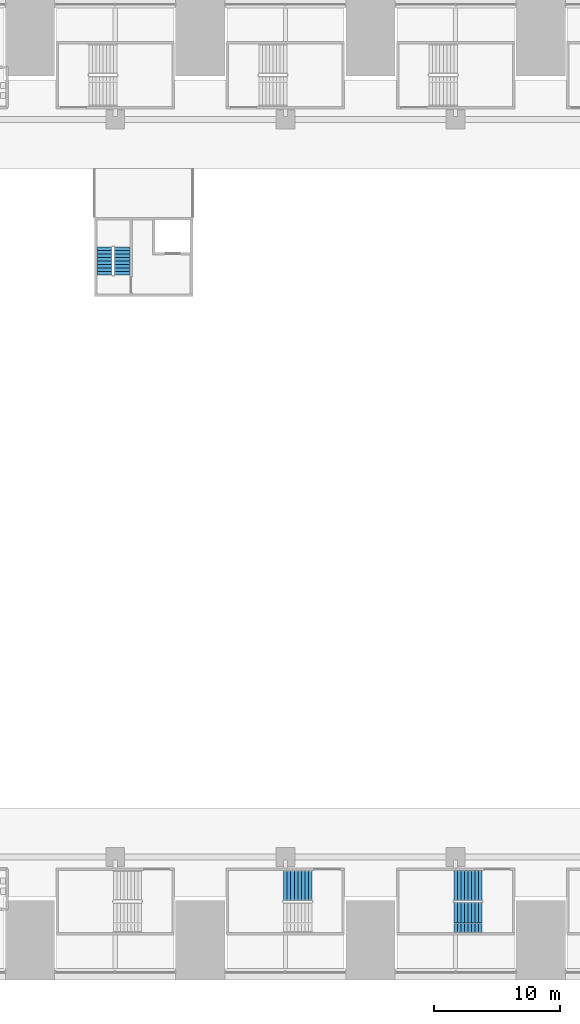
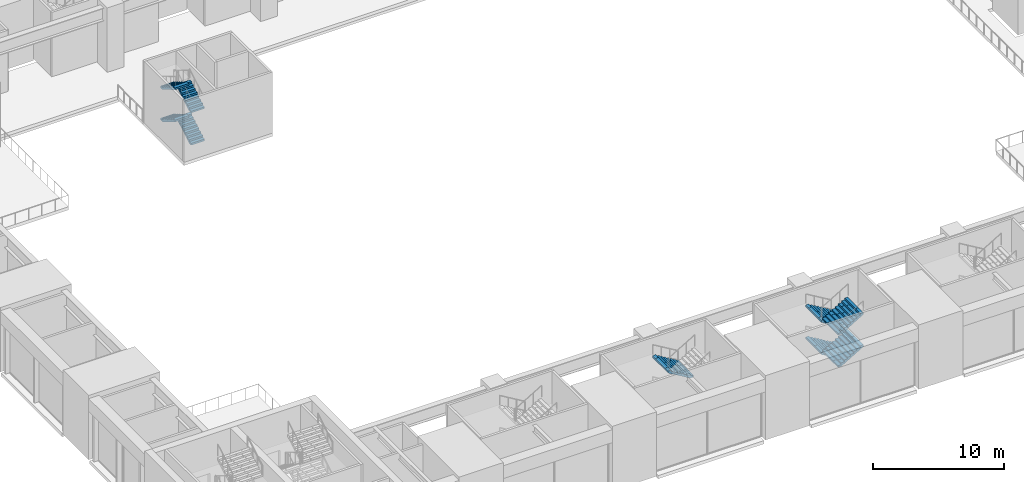
# One storey, part 22 of 41: 9 stair flights, 3 elements without a shape of their own.
"""IFC4 building model written with IfcOpenShell, lengths in metres."""

from ifc_helpers import new_model, si_unit, direction, frame, origin, place, context, subcontext, project, spatial, polyline, outline, extrude, material, type_object, element, aggregate, save


model = new_model("IFC4")

# Units and contexts
model_context = context("Model", 3, precision=1e-05, world=origin(), true_north=direction((0.0, 1.0)))
body_context = subcontext(model_context, "Body", "Model", "MODEL_VIEW")
ifc_project = project(units=[si_unit("LENGTHUNIT", "METRE"), si_unit("AREAUNIT", "SQUARE_METRE"), si_unit("VOLUMEUNIT", "CUBIC_METRE"), si_unit("PLANEANGLEUNIT", "RADIAN"), si_unit("MASSUNIT", "GRAM", prefix="KILO")], contexts=[model_context])

# Site, building, storey
site_placement = place(None, origin())
site = spatial("IfcSite", under=ifc_project, at=site_placement, CompositionType="ELEMENT")
building_placement = place(site_placement, origin())
building = spatial("IfcBuilding", under=site, at=building_placement, Name="Corbelhall Arena Tower", CompositionType="ELEMENT")
storey_placement = place(building_placement, frame((0.0, 0.0, 19.0)))
storey = spatial("IfcBuildingStorey", under=building, at=storey_placement, Name="L02", CompositionType="ELEMENT", Elevation=19.0)

# Stair, stair flight
ifc_material_1 = material(Name="Reinforced concrete C40/50", Category="concrete")
stair_type_1 = type_object("IfcStairType", Name="AR-EXIT-STAIR", PredefinedType="HALF_TURN_STAIR", material=ifc_material_1)
stair_1_placement = place(storey_placement, origin())
stair_1 = element("IfcStair", 1, at=stair_1_placement, inside=storey, type_object=stair_type_1, Name="L02 exit stair AS14", PredefinedType="HALF_TURN_STAIR")
stair_flight_type_1 = type_object("IfcStairFlightType", Name="AR-EXIT-FLIGHT", PredefinedType="STRAIGHT", material=ifc_material_1)
stair_flight_1_placement = place(storey_placement, frame((-4.64990234375, -31.5, 3.0), z_axis=(0.0, 0.0, 1.0), x_axis=(-1.0, 0.0, 0.0)))
stair_flight_1 = element("IfcStairFlight", 2, at=stair_flight_1_placement, type_object=stair_flight_type_1, Name="AS14 flight 3", NumberOfRisers=9, NumberOfTreads=8, PredefinedType="STRAIGHT", RiserHeight=0.166666667, TreadLength=0.28, context=body_context, shape_type="SweptSolid", body=[
    extrude(outline(polyline([(0.0, 0.0), (0.0, 0.166748046875), (0.280029296875, 0.166748046875), (0.280029296875, 0.333251953125), (0.56005859375, 0.333251953125), (0.56005859375, 0.5), (0.840087890625, 0.5), (0.840087890625, 0.666748046875), (1.1201171875, 0.666748046875), (1.1201171875, 0.833251953125), (1.39990234375, 0.833251953125), (1.39990234375, 1.0), (1.679931640625, 1.0), (1.679931640625, 1.166748046875), (1.9599609375, 1.166748046875), (1.9599609375, 1.333251953125), (2.239990234375, 1.333251953125), (2.239990234375, 1.5), (2.239990234375, 1.158935546875), (0.29296875, 0.0), (0.0, 0.0)])), frame((0.0, 1.199951171875, 0.0), z_axis=(0.0, -1.0, 0.0), x_axis=(1.0, 0.0, 0.0)), (0.0, 0.0, 1.0), 0.449951171875),
    extrude(outline(polyline([(0.0, 0.0), (0.0, 0.166748046875), (0.280029296875, 0.166748046875), (0.280029296875, 0.333251953125), (0.56005859375, 0.333251953125), (0.56005859375, 0.5), (0.840087890625, 0.5), (0.840087890625, 0.666748046875), (1.1201171875, 0.666748046875), (1.1201171875, 0.833251953125), (1.39990234375, 0.833251953125), (1.39990234375, 1.0), (1.679931640625, 1.0), (1.679931640625, 1.166748046875), (1.9599609375, 1.166748046875), (1.9599609375, 1.333251953125), (2.239990234375, 1.333251953125), (2.239990234375, 1.5), (2.239990234375, 1.158935546875), (0.29296875, 0.0), (0.0, 0.0)])), frame((0.0, 0.745849609375, 0.0), z_axis=(0.0, -1.0, 0.0), x_axis=(1.0, 0.0, 0.0)), (0.0, 0.0, 1.0), 0.295166015625),
    extrude(outline(polyline([(0.0, 0.0), (0.0, 0.166748046875), (0.280029296875, 0.166748046875), (0.280029296875, 0.333251953125), (0.56005859375, 0.333251953125), (0.56005859375, 0.5), (0.840087890625, 0.5), (0.840087890625, 0.666748046875), (1.1201171875, 0.666748046875), (1.1201171875, 0.833251953125), (1.39990234375, 0.833251953125), (1.39990234375, 1.0), (1.679931640625, 1.0), (1.679931640625, 1.166748046875), (1.9599609375, 1.166748046875), (1.9599609375, 1.333251953125), (2.239990234375, 1.333251953125), (2.239990234375, 1.5), (2.239990234375, 1.158935546875), (0.29296875, 0.0), (0.0, 0.0)])), frame((0.0, 0.44677734375, 0.0), z_axis=(0.0, -1.0, 0.0), x_axis=(1.0, 0.0, 0.0)), (0.0, 0.0, 1.0), 0.295166015625),
    extrude(outline(polyline([(0.0, 0.0), (0.0, 0.166748046875), (0.280029296875, 0.166748046875), (0.280029296875, 0.333251953125), (0.56005859375, 0.333251953125), (0.56005859375, 0.5), (0.840087890625, 0.5), (0.840087890625, 0.666748046875), (1.1201171875, 0.666748046875), (1.1201171875, 0.833251953125), (1.39990234375, 0.833251953125), (1.39990234375, 1.0), (1.679931640625, 1.0), (1.679931640625, 1.166748046875), (1.9599609375, 1.166748046875), (1.9599609375, 1.333251953125), (2.239990234375, 1.333251953125), (2.239990234375, 1.5), (2.239990234375, 1.158935546875), (0.29296875, 0.0), (0.0, 0.0)])), frame((0.0, 0.147705078125, 0.0), z_axis=(0.0, -1.0, 0.0), x_axis=(1.0, 0.0, 0.0)), (0.0, 0.0, 1.0), 0.295166015625),
    extrude(outline(polyline([(0.0, 0.0), (0.0, 0.166748046875), (0.280029296875, 0.166748046875), (0.280029296875, 0.333251953125), (0.56005859375, 0.333251953125), (0.56005859375, 0.5), (0.840087890625, 0.5), (0.840087890625, 0.666748046875), (1.1201171875, 0.666748046875), (1.1201171875, 0.833251953125), (1.39990234375, 0.833251953125), (1.39990234375, 1.0), (1.679931640625, 1.0), (1.679931640625, 1.166748046875), (1.9599609375, 1.166748046875), (1.9599609375, 1.333251953125), (2.239990234375, 1.333251953125), (2.239990234375, 1.5), (2.239990234375, 1.158935546875), (0.29296875, 0.0), (0.0, 0.0)])), frame((0.0, -0.151611328125, 0.0), z_axis=(0.0, -1.0, 0.0), x_axis=(1.0, 0.0, 0.0)), (0.0, 0.0, 1.0), 0.295166015625),
    extrude(outline(polyline([(0.0, 0.0), (0.0, 0.166748046875), (0.280029296875, 0.166748046875), (0.280029296875, 0.333251953125), (0.56005859375, 0.333251953125), (0.56005859375, 0.5), (0.840087890625, 0.5), (0.840087890625, 0.666748046875), (1.1201171875, 0.666748046875), (1.1201171875, 0.833251953125), (1.39990234375, 0.833251953125), (1.39990234375, 1.0), (1.679931640625, 1.0), (1.679931640625, 1.166748046875), (1.9599609375, 1.166748046875), (1.9599609375, 1.333251953125), (2.239990234375, 1.333251953125), (2.239990234375, 1.5), (2.239990234375, 1.158935546875), (0.29296875, 0.0), (0.0, 0.0)])), frame((0.0, -0.45068359375, 0.0), z_axis=(0.0, -1.0, 0.0), x_axis=(1.0, 0.0, 0.0)), (0.0, 0.0, 1.0), 0.295166015625),
    extrude(outline(polyline([(0.0, 0.0), (0.0, 0.166748046875), (0.280029296875, 0.166748046875), (0.280029296875, 0.333251953125), (0.56005859375, 0.333251953125), (0.56005859375, 0.5), (0.840087890625, 0.5), (0.840087890625, 0.666748046875), (1.1201171875, 0.666748046875), (1.1201171875, 0.833251953125), (1.39990234375, 0.833251953125), (1.39990234375, 1.0), (1.679931640625, 1.0), (1.679931640625, 1.166748046875), (1.9599609375, 1.166748046875), (1.9599609375, 1.333251953125), (2.239990234375, 1.333251953125), (2.239990234375, 1.5), (2.239990234375, 1.158935546875), (0.29296875, 0.0), (0.0, 0.0)])), frame((0.0, -0.75, 0.0), z_axis=(0.0, -1.0, 0.0), x_axis=(1.0, 0.0, 0.0)), (0.0, 0.0, 1.0), 0.449951171875),
])
aggregate(stair_1, [stair_flight_1])

# Stair, stair flights
stair_2_placement = place(storey_placement, origin())
stair_2 = element("IfcStair", 3, at=stair_2_placement, inside=storey, type_object=stair_type_1, Name="L02 exit stair AS15", PredefinedType="HALF_TURN_STAIR")
stair_flight_2_placement = place(storey_placement, frame((8.85009765625, -31.5, 0.0), z_axis=(0.0, 0.0, 1.0), x_axis=(-1.0, 0.0, 0.0)))
stair_flight_2 = element("IfcStairFlight", 4, at=stair_flight_2_placement, type_object=stair_flight_type_1, Name="AS15 flight 1", NumberOfRisers=9, NumberOfTreads=8, PredefinedType="STRAIGHT", RiserHeight=0.166666667, TreadLength=0.28, context=body_context, shape_type="SweptSolid", body=[
    extrude(outline(polyline([(0.0, 0.0), (0.0, 0.166748046875), (0.280029296875, 0.166748046875), (0.280029296875, 0.333251953125), (0.56005859375, 0.333251953125), (0.56005859375, 0.5), (0.840087890625, 0.5), (0.840087890625, 0.666748046875), (1.1201171875, 0.666748046875), (1.1201171875, 0.833251953125), (1.39990234375, 0.833251953125), (1.39990234375, 1.0), (1.679931640625, 1.0), (1.679931640625, 1.166748046875), (1.9599609375, 1.166748046875), (1.9599609375, 1.333251953125), (2.239990234375, 1.333251953125), (2.239990234375, 1.5), (2.239990234375, 1.158935546875), (0.29296875, 0.0), (0.0, 0.0)])), frame((0.0, 1.199951171875, 0.0), z_axis=(0.0, -1.0, 0.0), x_axis=(1.0, 0.0, 0.0)), (0.0, 0.0, 1.0), 0.449951171875),
    extrude(outline(polyline([(0.0, 0.0), (0.0, 0.166748046875), (0.280029296875, 0.166748046875), (0.280029296875, 0.333251953125), (0.56005859375, 0.333251953125), (0.56005859375, 0.5), (0.840087890625, 0.5), (0.840087890625, 0.666748046875), (1.1201171875, 0.666748046875), (1.1201171875, 0.833251953125), (1.39990234375, 0.833251953125), (1.39990234375, 1.0), (1.679931640625, 1.0), (1.679931640625, 1.166748046875), (1.9599609375, 1.166748046875), (1.9599609375, 1.333251953125), (2.239990234375, 1.333251953125), (2.239990234375, 1.5), (2.239990234375, 1.158935546875), (0.29296875, 0.0), (0.0, 0.0)])), frame((0.0, 0.745849609375, 0.0), z_axis=(0.0, -1.0, 0.0), x_axis=(1.0, 0.0, 0.0)), (0.0, 0.0, 1.0), 0.295166015625),
    extrude(outline(polyline([(0.0, 0.0), (0.0, 0.166748046875), (0.280029296875, 0.166748046875), (0.280029296875, 0.333251953125), (0.56005859375, 0.333251953125), (0.56005859375, 0.5), (0.840087890625, 0.5), (0.840087890625, 0.666748046875), (1.1201171875, 0.666748046875), (1.1201171875, 0.833251953125), (1.39990234375, 0.833251953125), (1.39990234375, 1.0), (1.679931640625, 1.0), (1.679931640625, 1.166748046875), (1.9599609375, 1.166748046875), (1.9599609375, 1.333251953125), (2.239990234375, 1.333251953125), (2.239990234375, 1.5), (2.239990234375, 1.158935546875), (0.29296875, 0.0), (0.0, 0.0)])), frame((0.0, 0.44677734375, 0.0), z_axis=(0.0, -1.0, 0.0), x_axis=(1.0, 0.0, 0.0)), (0.0, 0.0, 1.0), 0.295166015625),
    extrude(outline(polyline([(0.0, 0.0), (0.0, 0.166748046875), (0.280029296875, 0.166748046875), (0.280029296875, 0.333251953125), (0.56005859375, 0.333251953125), (0.56005859375, 0.5), (0.840087890625, 0.5), (0.840087890625, 0.666748046875), (1.1201171875, 0.666748046875), (1.1201171875, 0.833251953125), (1.39990234375, 0.833251953125), (1.39990234375, 1.0), (1.679931640625, 1.0), (1.679931640625, 1.166748046875), (1.9599609375, 1.166748046875), (1.9599609375, 1.333251953125), (2.239990234375, 1.333251953125), (2.239990234375, 1.5), (2.239990234375, 1.158935546875), (0.29296875, 0.0), (0.0, 0.0)])), frame((0.0, 0.147705078125, 0.0), z_axis=(0.0, -1.0, 0.0), x_axis=(1.0, 0.0, 0.0)), (0.0, 0.0, 1.0), 0.295166015625),
    extrude(outline(polyline([(0.0, 0.0), (0.0, 0.166748046875), (0.280029296875, 0.166748046875), (0.280029296875, 0.333251953125), (0.56005859375, 0.333251953125), (0.56005859375, 0.5), (0.840087890625, 0.5), (0.840087890625, 0.666748046875), (1.1201171875, 0.666748046875), (1.1201171875, 0.833251953125), (1.39990234375, 0.833251953125), (1.39990234375, 1.0), (1.679931640625, 1.0), (1.679931640625, 1.166748046875), (1.9599609375, 1.166748046875), (1.9599609375, 1.333251953125), (2.239990234375, 1.333251953125), (2.239990234375, 1.5), (2.239990234375, 1.158935546875), (0.29296875, 0.0), (0.0, 0.0)])), frame((0.0, -0.151611328125, 0.0), z_axis=(0.0, -1.0, 0.0), x_axis=(1.0, 0.0, 0.0)), (0.0, 0.0, 1.0), 0.295166015625),
    extrude(outline(polyline([(0.0, 0.0), (0.0, 0.166748046875), (0.280029296875, 0.166748046875), (0.280029296875, 0.333251953125), (0.56005859375, 0.333251953125), (0.56005859375, 0.5), (0.840087890625, 0.5), (0.840087890625, 0.666748046875), (1.1201171875, 0.666748046875), (1.1201171875, 0.833251953125), (1.39990234375, 0.833251953125), (1.39990234375, 1.0), (1.679931640625, 1.0), (1.679931640625, 1.166748046875), (1.9599609375, 1.166748046875), (1.9599609375, 1.333251953125), (2.239990234375, 1.333251953125), (2.239990234375, 1.5), (2.239990234375, 1.158935546875), (0.29296875, 0.0), (0.0, 0.0)])), frame((0.0, -0.45068359375, 0.0), z_axis=(0.0, -1.0, 0.0), x_axis=(1.0, 0.0, 0.0)), (0.0, 0.0, 1.0), 0.295166015625),
    extrude(outline(polyline([(0.0, 0.0), (0.0, 0.166748046875), (0.280029296875, 0.166748046875), (0.280029296875, 0.333251953125), (0.56005859375, 0.333251953125), (0.56005859375, 0.5), (0.840087890625, 0.5), (0.840087890625, 0.666748046875), (1.1201171875, 0.666748046875), (1.1201171875, 0.833251953125), (1.39990234375, 0.833251953125), (1.39990234375, 1.0), (1.679931640625, 1.0), (1.679931640625, 1.166748046875), (1.9599609375, 1.166748046875), (1.9599609375, 1.333251953125), (2.239990234375, 1.333251953125), (2.239990234375, 1.5), (2.239990234375, 1.158935546875), (0.29296875, 0.0), (0.0, 0.0)])), frame((0.0, -0.75, 0.0), z_axis=(0.0, -1.0, 0.0), x_axis=(1.0, 0.0, 0.0)), (0.0, 0.0, 1.0), 0.449951171875),
])
stair_flight_3_placement = place(storey_placement, frame((6.610107421875, -34.050048828125, 1.5), z_axis=(0.0, 0.0, 1.0), x_axis=(1.0, 0.0, 0.0)))
stair_flight_3 = element("IfcStairFlight", 5, at=stair_flight_3_placement, type_object=stair_flight_type_1, Name="AS15 flight 2", NumberOfRisers=9, NumberOfTreads=8, PredefinedType="STRAIGHT", RiserHeight=0.166666667, TreadLength=0.28, context=body_context, shape_type="SweptSolid", body=[
    extrude(outline(polyline([(0.0, 0.0), (0.0, 0.166748046875), (0.280029296875, 0.166748046875), (0.280029296875, 0.333251953125), (0.56005859375, 0.333251953125), (0.56005859375, 0.5), (0.840087890625, 0.5), (0.840087890625, 0.666748046875), (1.1201171875, 0.666748046875), (1.1201171875, 0.833251953125), (1.39990234375, 0.833251953125), (1.39990234375, 1.0), (1.679931640625, 1.0), (1.679931640625, 1.166748046875), (1.9599609375, 1.166748046875), (1.9599609375, 1.333251953125), (2.239990234375, 1.333251953125), (2.239990234375, 1.5), (2.239990234375, 1.158935546875), (0.29296875, 0.0), (0.0, 0.0)])), frame((0.0, 1.199951171875, 0.0), z_axis=(0.0, -1.0, 0.0), x_axis=(1.0, 0.0, 0.0)), (0.0, 0.0, 1.0), 0.449951171875),
    extrude(outline(polyline([(0.0, 0.0), (0.0, 0.166748046875), (0.280029296875, 0.166748046875), (0.280029296875, 0.333251953125), (0.56005859375, 0.333251953125), (0.56005859375, 0.5), (0.840087890625, 0.5), (0.840087890625, 0.666748046875), (1.1201171875, 0.666748046875), (1.1201171875, 0.833251953125), (1.39990234375, 0.833251953125), (1.39990234375, 1.0), (1.679931640625, 1.0), (1.679931640625, 1.166748046875), (1.9599609375, 1.166748046875), (1.9599609375, 1.333251953125), (2.239990234375, 1.333251953125), (2.239990234375, 1.5), (2.239990234375, 1.158935546875), (0.29296875, 0.0), (0.0, 0.0)])), frame((0.0, 0.745849609375, 0.0), z_axis=(0.0, -1.0, 0.0), x_axis=(1.0, 0.0, 0.0)), (0.0, 0.0, 1.0), 0.295166015625),
    extrude(outline(polyline([(0.0, 0.0), (0.0, 0.166748046875), (0.280029296875, 0.166748046875), (0.280029296875, 0.333251953125), (0.56005859375, 0.333251953125), (0.56005859375, 0.5), (0.840087890625, 0.5), (0.840087890625, 0.666748046875), (1.1201171875, 0.666748046875), (1.1201171875, 0.833251953125), (1.39990234375, 0.833251953125), (1.39990234375, 1.0), (1.679931640625, 1.0), (1.679931640625, 1.166748046875), (1.9599609375, 1.166748046875), (1.9599609375, 1.333251953125), (2.239990234375, 1.333251953125), (2.239990234375, 1.5), (2.239990234375, 1.158935546875), (0.29296875, 0.0), (0.0, 0.0)])), frame((0.0, 0.44677734375, 0.0), z_axis=(0.0, -1.0, 0.0), x_axis=(1.0, 0.0, 0.0)), (0.0, 0.0, 1.0), 0.295166015625),
    extrude(outline(polyline([(0.0, 0.0), (0.0, 0.166748046875), (0.280029296875, 0.166748046875), (0.280029296875, 0.333251953125), (0.56005859375, 0.333251953125), (0.56005859375, 0.5), (0.840087890625, 0.5), (0.840087890625, 0.666748046875), (1.1201171875, 0.666748046875), (1.1201171875, 0.833251953125), (1.39990234375, 0.833251953125), (1.39990234375, 1.0), (1.679931640625, 1.0), (1.679931640625, 1.166748046875), (1.9599609375, 1.166748046875), (1.9599609375, 1.333251953125), (2.239990234375, 1.333251953125), (2.239990234375, 1.5), (2.239990234375, 1.158935546875), (0.29296875, 0.0), (0.0, 0.0)])), frame((0.0, 0.147705078125, 0.0), z_axis=(0.0, -1.0, 0.0), x_axis=(1.0, 0.0, 0.0)), (0.0, 0.0, 1.0), 0.295166015625),
    extrude(outline(polyline([(0.0, 0.0), (0.0, 0.166748046875), (0.280029296875, 0.166748046875), (0.280029296875, 0.333251953125), (0.56005859375, 0.333251953125), (0.56005859375, 0.5), (0.840087890625, 0.5), (0.840087890625, 0.666748046875), (1.1201171875, 0.666748046875), (1.1201171875, 0.833251953125), (1.39990234375, 0.833251953125), (1.39990234375, 1.0), (1.679931640625, 1.0), (1.679931640625, 1.166748046875), (1.9599609375, 1.166748046875), (1.9599609375, 1.333251953125), (2.239990234375, 1.333251953125), (2.239990234375, 1.5), (2.239990234375, 1.158935546875), (0.29296875, 0.0), (0.0, 0.0)])), frame((0.0, -0.151611328125, 0.0), z_axis=(0.0, -1.0, 0.0), x_axis=(1.0, 0.0, 0.0)), (0.0, 0.0, 1.0), 0.295166015625),
    extrude(outline(polyline([(0.0, 0.0), (0.0, 0.166748046875), (0.280029296875, 0.166748046875), (0.280029296875, 0.333251953125), (0.56005859375, 0.333251953125), (0.56005859375, 0.5), (0.840087890625, 0.5), (0.840087890625, 0.666748046875), (1.1201171875, 0.666748046875), (1.1201171875, 0.833251953125), (1.39990234375, 0.833251953125), (1.39990234375, 1.0), (1.679931640625, 1.0), (1.679931640625, 1.166748046875), (1.9599609375, 1.166748046875), (1.9599609375, 1.333251953125), (2.239990234375, 1.333251953125), (2.239990234375, 1.5), (2.239990234375, 1.158935546875), (0.29296875, 0.0), (0.0, 0.0)])), frame((0.0, -0.45068359375, 0.0), z_axis=(0.0, -1.0, 0.0), x_axis=(1.0, 0.0, 0.0)), (0.0, 0.0, 1.0), 0.295166015625),
    extrude(outline(polyline([(0.0, 0.0), (0.0, 0.166748046875), (0.280029296875, 0.166748046875), (0.280029296875, 0.333251953125), (0.56005859375, 0.333251953125), (0.56005859375, 0.5), (0.840087890625, 0.5), (0.840087890625, 0.666748046875), (1.1201171875, 0.666748046875), (1.1201171875, 0.833251953125), (1.39990234375, 0.833251953125), (1.39990234375, 1.0), (1.679931640625, 1.0), (1.679931640625, 1.166748046875), (1.9599609375, 1.166748046875), (1.9599609375, 1.333251953125), (2.239990234375, 1.333251953125), (2.239990234375, 1.5), (2.239990234375, 1.158935546875), (0.29296875, 0.0), (0.0, 0.0)])), frame((0.0, -0.75, 0.0), z_axis=(0.0, -1.0, 0.0), x_axis=(1.0, 0.0, 0.0)), (0.0, 0.0, 1.0), 0.449951171875),
])
stair_flight_4_placement = place(storey_placement, frame((8.85009765625, -31.5, 3.0), z_axis=(0.0, 0.0, 1.0), x_axis=(-1.0, 0.0, 0.0)))
stair_flight_4 = element("IfcStairFlight", 6, at=stair_flight_4_placement, type_object=stair_flight_type_1, Name="AS15 flight 3", NumberOfRisers=9, NumberOfTreads=8, PredefinedType="STRAIGHT", RiserHeight=0.166666667, TreadLength=0.28, context=body_context, shape_type="SweptSolid", body=[
    extrude(outline(polyline([(0.0, 0.0), (0.0, 0.166748046875), (0.280029296875, 0.166748046875), (0.280029296875, 0.333251953125), (0.56005859375, 0.333251953125), (0.56005859375, 0.5), (0.840087890625, 0.5), (0.840087890625, 0.666748046875), (1.1201171875, 0.666748046875), (1.1201171875, 0.833251953125), (1.39990234375, 0.833251953125), (1.39990234375, 1.0), (1.679931640625, 1.0), (1.679931640625, 1.166748046875), (1.9599609375, 1.166748046875), (1.9599609375, 1.333251953125), (2.239990234375, 1.333251953125), (2.239990234375, 1.5), (2.239990234375, 1.158935546875), (0.29296875, 0.0), (0.0, 0.0)])), frame((0.0, 1.199951171875, 0.0), z_axis=(0.0, -1.0, 0.0), x_axis=(1.0, 0.0, 0.0)), (0.0, 0.0, 1.0), 0.449951171875),
    extrude(outline(polyline([(0.0, 0.0), (0.0, 0.166748046875), (0.280029296875, 0.166748046875), (0.280029296875, 0.333251953125), (0.56005859375, 0.333251953125), (0.56005859375, 0.5), (0.840087890625, 0.5), (0.840087890625, 0.666748046875), (1.1201171875, 0.666748046875), (1.1201171875, 0.833251953125), (1.39990234375, 0.833251953125), (1.39990234375, 1.0), (1.679931640625, 1.0), (1.679931640625, 1.166748046875), (1.9599609375, 1.166748046875), (1.9599609375, 1.333251953125), (2.239990234375, 1.333251953125), (2.239990234375, 1.5), (2.239990234375, 1.158935546875), (0.29296875, 0.0), (0.0, 0.0)])), frame((0.0, 0.745849609375, 0.0), z_axis=(0.0, -1.0, 0.0), x_axis=(1.0, 0.0, 0.0)), (0.0, 0.0, 1.0), 0.295166015625),
    extrude(outline(polyline([(0.0, 0.0), (0.0, 0.166748046875), (0.280029296875, 0.166748046875), (0.280029296875, 0.333251953125), (0.56005859375, 0.333251953125), (0.56005859375, 0.5), (0.840087890625, 0.5), (0.840087890625, 0.666748046875), (1.1201171875, 0.666748046875), (1.1201171875, 0.833251953125), (1.39990234375, 0.833251953125), (1.39990234375, 1.0), (1.679931640625, 1.0), (1.679931640625, 1.166748046875), (1.9599609375, 1.166748046875), (1.9599609375, 1.333251953125), (2.239990234375, 1.333251953125), (2.239990234375, 1.5), (2.239990234375, 1.158935546875), (0.29296875, 0.0), (0.0, 0.0)])), frame((0.0, 0.44677734375, 0.0), z_axis=(0.0, -1.0, 0.0), x_axis=(1.0, 0.0, 0.0)), (0.0, 0.0, 1.0), 0.295166015625),
    extrude(outline(polyline([(0.0, 0.0), (0.0, 0.166748046875), (0.280029296875, 0.166748046875), (0.280029296875, 0.333251953125), (0.56005859375, 0.333251953125), (0.56005859375, 0.5), (0.840087890625, 0.5), (0.840087890625, 0.666748046875), (1.1201171875, 0.666748046875), (1.1201171875, 0.833251953125), (1.39990234375, 0.833251953125), (1.39990234375, 1.0), (1.679931640625, 1.0), (1.679931640625, 1.166748046875), (1.9599609375, 1.166748046875), (1.9599609375, 1.333251953125), (2.239990234375, 1.333251953125), (2.239990234375, 1.5), (2.239990234375, 1.158935546875), (0.29296875, 0.0), (0.0, 0.0)])), frame((0.0, 0.147705078125, 0.0), z_axis=(0.0, -1.0, 0.0), x_axis=(1.0, 0.0, 0.0)), (0.0, 0.0, 1.0), 0.295166015625),
    extrude(outline(polyline([(0.0, 0.0), (0.0, 0.166748046875), (0.280029296875, 0.166748046875), (0.280029296875, 0.333251953125), (0.56005859375, 0.333251953125), (0.56005859375, 0.5), (0.840087890625, 0.5), (0.840087890625, 0.666748046875), (1.1201171875, 0.666748046875), (1.1201171875, 0.833251953125), (1.39990234375, 0.833251953125), (1.39990234375, 1.0), (1.679931640625, 1.0), (1.679931640625, 1.166748046875), (1.9599609375, 1.166748046875), (1.9599609375, 1.333251953125), (2.239990234375, 1.333251953125), (2.239990234375, 1.5), (2.239990234375, 1.158935546875), (0.29296875, 0.0), (0.0, 0.0)])), frame((0.0, -0.151611328125, 0.0), z_axis=(0.0, -1.0, 0.0), x_axis=(1.0, 0.0, 0.0)), (0.0, 0.0, 1.0), 0.295166015625),
    extrude(outline(polyline([(0.0, 0.0), (0.0, 0.166748046875), (0.280029296875, 0.166748046875), (0.280029296875, 0.333251953125), (0.56005859375, 0.333251953125), (0.56005859375, 0.5), (0.840087890625, 0.5), (0.840087890625, 0.666748046875), (1.1201171875, 0.666748046875), (1.1201171875, 0.833251953125), (1.39990234375, 0.833251953125), (1.39990234375, 1.0), (1.679931640625, 1.0), (1.679931640625, 1.166748046875), (1.9599609375, 1.166748046875), (1.9599609375, 1.333251953125), (2.239990234375, 1.333251953125), (2.239990234375, 1.5), (2.239990234375, 1.158935546875), (0.29296875, 0.0), (0.0, 0.0)])), frame((0.0, -0.45068359375, 0.0), z_axis=(0.0, -1.0, 0.0), x_axis=(1.0, 0.0, 0.0)), (0.0, 0.0, 1.0), 0.295166015625),
    extrude(outline(polyline([(0.0, 0.0), (0.0, 0.166748046875), (0.280029296875, 0.166748046875), (0.280029296875, 0.333251953125), (0.56005859375, 0.333251953125), (0.56005859375, 0.5), (0.840087890625, 0.5), (0.840087890625, 0.666748046875), (1.1201171875, 0.666748046875), (1.1201171875, 0.833251953125), (1.39990234375, 0.833251953125), (1.39990234375, 1.0), (1.679931640625, 1.0), (1.679931640625, 1.166748046875), (1.9599609375, 1.166748046875), (1.9599609375, 1.333251953125), (2.239990234375, 1.333251953125), (2.239990234375, 1.5), (2.239990234375, 1.158935546875), (0.29296875, 0.0), (0.0, 0.0)])), frame((0.0, -0.75, 0.0), z_axis=(0.0, -1.0, 0.0), x_axis=(1.0, 0.0, 0.0)), (0.0, 0.0, 1.0), 0.449951171875),
])
stair_flight_5_placement = place(storey_placement, frame((6.610107421875, -34.050048828125, 4.5), z_axis=(0.0, 0.0, 1.0), x_axis=(1.0, 0.0, 0.0)))
stair_flight_5 = element("IfcStairFlight", 7, at=stair_flight_5_placement, type_object=stair_flight_type_1, Name="AS15 flight 4", NumberOfRisers=9, NumberOfTreads=8, PredefinedType="STRAIGHT", RiserHeight=0.166666667, TreadLength=0.28, context=body_context, shape_type="SweptSolid", body=[
    extrude(outline(polyline([(0.0, 0.0), (0.0, 0.166748046875), (0.280029296875, 0.166748046875), (0.280029296875, 0.333251953125), (0.56005859375, 0.333251953125), (0.56005859375, 0.5), (0.840087890625, 0.5), (0.840087890625, 0.666748046875), (1.1201171875, 0.666748046875), (1.1201171875, 0.833251953125), (1.39990234375, 0.833251953125), (1.39990234375, 1.0), (1.679931640625, 1.0), (1.679931640625, 1.166748046875), (1.9599609375, 1.166748046875), (1.9599609375, 1.333251953125), (2.239990234375, 1.333251953125), (2.239990234375, 1.5), (2.239990234375, 1.158935546875), (0.29296875, 0.0), (0.0, 0.0)])), frame((0.0, 1.199951171875, 0.0), z_axis=(0.0, -1.0, 0.0), x_axis=(1.0, 0.0, 0.0)), (0.0, 0.0, 1.0), 0.449951171875),
    extrude(outline(polyline([(0.0, 0.0), (0.0, 0.166748046875), (0.280029296875, 0.166748046875), (0.280029296875, 0.333251953125), (0.56005859375, 0.333251953125), (0.56005859375, 0.5), (0.840087890625, 0.5), (0.840087890625, 0.666748046875), (1.1201171875, 0.666748046875), (1.1201171875, 0.833251953125), (1.39990234375, 0.833251953125), (1.39990234375, 1.0), (1.679931640625, 1.0), (1.679931640625, 1.166748046875), (1.9599609375, 1.166748046875), (1.9599609375, 1.333251953125), (2.239990234375, 1.333251953125), (2.239990234375, 1.5), (2.239990234375, 1.158935546875), (0.29296875, 0.0), (0.0, 0.0)])), frame((0.0, 0.745849609375, 0.0), z_axis=(0.0, -1.0, 0.0), x_axis=(1.0, 0.0, 0.0)), (0.0, 0.0, 1.0), 0.295166015625),
    extrude(outline(polyline([(0.0, 0.0), (0.0, 0.166748046875), (0.280029296875, 0.166748046875), (0.280029296875, 0.333251953125), (0.56005859375, 0.333251953125), (0.56005859375, 0.5), (0.840087890625, 0.5), (0.840087890625, 0.666748046875), (1.1201171875, 0.666748046875), (1.1201171875, 0.833251953125), (1.39990234375, 0.833251953125), (1.39990234375, 1.0), (1.679931640625, 1.0), (1.679931640625, 1.166748046875), (1.9599609375, 1.166748046875), (1.9599609375, 1.333251953125), (2.239990234375, 1.333251953125), (2.239990234375, 1.5), (2.239990234375, 1.158935546875), (0.29296875, 0.0), (0.0, 0.0)])), frame((0.0, 0.44677734375, 0.0), z_axis=(0.0, -1.0, 0.0), x_axis=(1.0, 0.0, 0.0)), (0.0, 0.0, 1.0), 0.295166015625),
    extrude(outline(polyline([(0.0, 0.0), (0.0, 0.166748046875), (0.280029296875, 0.166748046875), (0.280029296875, 0.333251953125), (0.56005859375, 0.333251953125), (0.56005859375, 0.5), (0.840087890625, 0.5), (0.840087890625, 0.666748046875), (1.1201171875, 0.666748046875), (1.1201171875, 0.833251953125), (1.39990234375, 0.833251953125), (1.39990234375, 1.0), (1.679931640625, 1.0), (1.679931640625, 1.166748046875), (1.9599609375, 1.166748046875), (1.9599609375, 1.333251953125), (2.239990234375, 1.333251953125), (2.239990234375, 1.5), (2.239990234375, 1.158935546875), (0.29296875, 0.0), (0.0, 0.0)])), frame((0.0, 0.147705078125, 0.0), z_axis=(0.0, -1.0, 0.0), x_axis=(1.0, 0.0, 0.0)), (0.0, 0.0, 1.0), 0.295166015625),
    extrude(outline(polyline([(0.0, 0.0), (0.0, 0.166748046875), (0.280029296875, 0.166748046875), (0.280029296875, 0.333251953125), (0.56005859375, 0.333251953125), (0.56005859375, 0.5), (0.840087890625, 0.5), (0.840087890625, 0.666748046875), (1.1201171875, 0.666748046875), (1.1201171875, 0.833251953125), (1.39990234375, 0.833251953125), (1.39990234375, 1.0), (1.679931640625, 1.0), (1.679931640625, 1.166748046875), (1.9599609375, 1.166748046875), (1.9599609375, 1.333251953125), (2.239990234375, 1.333251953125), (2.239990234375, 1.5), (2.239990234375, 1.158935546875), (0.29296875, 0.0), (0.0, 0.0)])), frame((0.0, -0.151611328125, 0.0), z_axis=(0.0, -1.0, 0.0), x_axis=(1.0, 0.0, 0.0)), (0.0, 0.0, 1.0), 0.295166015625),
    extrude(outline(polyline([(0.0, 0.0), (0.0, 0.166748046875), (0.280029296875, 0.166748046875), (0.280029296875, 0.333251953125), (0.56005859375, 0.333251953125), (0.56005859375, 0.5), (0.840087890625, 0.5), (0.840087890625, 0.666748046875), (1.1201171875, 0.666748046875), (1.1201171875, 0.833251953125), (1.39990234375, 0.833251953125), (1.39990234375, 1.0), (1.679931640625, 1.0), (1.679931640625, 1.166748046875), (1.9599609375, 1.166748046875), (1.9599609375, 1.333251953125), (2.239990234375, 1.333251953125), (2.239990234375, 1.5), (2.239990234375, 1.158935546875), (0.29296875, 0.0), (0.0, 0.0)])), frame((0.0, -0.45068359375, 0.0), z_axis=(0.0, -1.0, 0.0), x_axis=(1.0, 0.0, 0.0)), (0.0, 0.0, 1.0), 0.295166015625),
    extrude(outline(polyline([(0.0, 0.0), (0.0, 0.166748046875), (0.280029296875, 0.166748046875), (0.280029296875, 0.333251953125), (0.56005859375, 0.333251953125), (0.56005859375, 0.5), (0.840087890625, 0.5), (0.840087890625, 0.666748046875), (1.1201171875, 0.666748046875), (1.1201171875, 0.833251953125), (1.39990234375, 0.833251953125), (1.39990234375, 1.0), (1.679931640625, 1.0), (1.679931640625, 1.166748046875), (1.9599609375, 1.166748046875), (1.9599609375, 1.333251953125), (2.239990234375, 1.333251953125), (2.239990234375, 1.5), (2.239990234375, 1.158935546875), (0.29296875, 0.0), (0.0, 0.0)])), frame((0.0, -0.75, 0.0), z_axis=(0.0, -1.0, 0.0), x_axis=(1.0, 0.0, 0.0)), (0.0, 0.0, 1.0), 0.449951171875),
])
aggregate(stair_2, [stair_flight_2, stair_flight_3, stair_flight_4, stair_flight_5])

ifc_material_2 = material(Name="Concrete C40/50", Category="concrete")
stair_type_2 = type_object("IfcStairType", Name="IN-ST-TOWER", PredefinedType="HALF_TURN_STAIR", material=ifc_material_2)
stair_3_placement = place(storey_placement, origin())
stair_3 = element("IfcStair", 8, at=stair_3_placement, inside=storey, type_object=stair_type_2, Name="L02 Exit stair AS17", PredefinedType="HALF_TURN_STAIR")
stair_flight_type_2 = type_object("IfcStairFlightType", Name="IN-SFL-RC", PredefinedType="STRAIGHT", material=ifc_material_2)
stair_flight_6_placement = place(storey_placement, frame((-19.695068359375, 16.89990234375, 0.0), z_axis=(0.0, 0.0, 1.0), x_axis=(0.0, 1.0, 0.0)))
stair_flight_6 = element("IfcStairFlight", 9, at=stair_flight_6_placement, type_object=stair_flight_type_2, Name="AS17 flight 1", NumberOfRisers=9, NumberOfTreads=8, PredefinedType="STRAIGHT", RiserHeight=0.166666667, TreadLength=0.28, context=body_context, shape_type="SweptSolid", body=[
    extrude(outline(polyline([(0.0, 0.0), (0.0, 0.166748046875), (0.280029296875, 0.166748046875), (0.280029296875, 0.333251953125), (0.56005859375, 0.333251953125), (0.56005859375, 0.5), (0.840087890625, 0.5), (0.840087890625, 0.666748046875), (1.1201171875, 0.666748046875), (1.1201171875, 0.833251953125), (1.39990234375, 0.833251953125), (1.39990234375, 1.0), (1.679931640625, 1.0), (1.679931640625, 1.166748046875), (1.9599609375, 1.166748046875), (1.9599609375, 1.333251953125), (2.239990234375, 1.333251953125), (2.239990234375, 1.5), (2.239990234375, 1.158935546875), (0.29296875, 0.0), (0.0, 0.0)])), frame((0.0, 0.60009765625, 0.0), z_axis=(0.0, -1.0, 0.0), x_axis=(1.0, 0.0, 0.0)), (0.0, 0.0, 1.0), 1.199951171875),
])
stair_flight_7_placement = place(storey_placement, frame((-21.094970703125, 19.139892578125, 1.5), z_axis=(0.0, 0.0, 1.0), x_axis=(0.0, -1.0, 0.0)))
stair_flight_7 = element("IfcStairFlight", 10, at=stair_flight_7_placement, type_object=stair_flight_type_2, Name="AS17 flight 2", NumberOfRisers=9, NumberOfTreads=8, PredefinedType="STRAIGHT", RiserHeight=0.166666667, TreadLength=0.28, context=body_context, shape_type="SweptSolid", body=[
    extrude(outline(polyline([(0.0, 0.0), (0.0, 0.166748046875), (0.280029296875, 0.166748046875), (0.280029296875, 0.333251953125), (0.56005859375, 0.333251953125), (0.56005859375, 0.5), (0.840087890625, 0.5), (0.840087890625, 0.666748046875), (1.1201171875, 0.666748046875), (1.1201171875, 0.833251953125), (1.39990234375, 0.833251953125), (1.39990234375, 1.0), (1.679931640625, 1.0), (1.679931640625, 1.166748046875), (1.9599609375, 1.166748046875), (1.9599609375, 1.333251953125), (2.239990234375, 1.333251953125), (2.239990234375, 1.5), (2.239990234375, 1.158935546875), (0.29296875, 0.0), (0.0, 0.0)])), frame((0.0, 0.60009765625, 0.0), z_axis=(0.0, -1.0, 0.0), x_axis=(1.0, 0.0, 0.0)), (0.0, 0.0, 1.0), 1.199951171875),
])
stair_flight_8_placement = place(storey_placement, frame((-19.695068359375, 16.89990234375, 3.0), z_axis=(0.0, 0.0, 1.0), x_axis=(0.0, 1.0, 0.0)))
stair_flight_8 = element("IfcStairFlight", 11, at=stair_flight_8_placement, type_object=stair_flight_type_2, Name="AS17 flight 3", NumberOfRisers=9, NumberOfTreads=8, PredefinedType="STRAIGHT", RiserHeight=0.166666667, TreadLength=0.28, context=body_context, shape_type="SweptSolid", body=[
    extrude(outline(polyline([(0.0, 0.0), (0.0, 0.166748046875), (0.280029296875, 0.166748046875), (0.280029296875, 0.333251953125), (0.56005859375, 0.333251953125), (0.56005859375, 0.5), (0.840087890625, 0.5), (0.840087890625, 0.666748046875), (1.1201171875, 0.666748046875), (1.1201171875, 0.833251953125), (1.39990234375, 0.833251953125), (1.39990234375, 1.0), (1.679931640625, 1.0), (1.679931640625, 1.166748046875), (1.9599609375, 1.166748046875), (1.9599609375, 1.333251953125), (2.239990234375, 1.333251953125), (2.239990234375, 1.5), (2.239990234375, 1.158935546875), (0.29296875, 0.0), (0.0, 0.0)])), frame((0.0, 0.60009765625, 0.0), z_axis=(0.0, -1.0, 0.0), x_axis=(1.0, 0.0, 0.0)), (0.0, 0.0, 1.0), 1.199951171875),
])
stair_flight_9_placement = place(storey_placement, frame((-21.094970703125, 19.139892578125, 4.5), z_axis=(0.0, 0.0, 1.0), x_axis=(0.0, -1.0, 0.0)))
stair_flight_9 = element("IfcStairFlight", 12, at=stair_flight_9_placement, type_object=stair_flight_type_2, Name="AS17 flight 4", NumberOfRisers=9, NumberOfTreads=8, PredefinedType="STRAIGHT", RiserHeight=0.166666667, TreadLength=0.28, context=body_context, shape_type="SweptSolid", body=[
    extrude(outline(polyline([(0.0, 0.0), (0.0, 0.166748046875), (0.280029296875, 0.166748046875), (0.280029296875, 0.333251953125), (0.56005859375, 0.333251953125), (0.56005859375, 0.5), (0.840087890625, 0.5), (0.840087890625, 0.666748046875), (1.1201171875, 0.666748046875), (1.1201171875, 0.833251953125), (1.39990234375, 0.833251953125), (1.39990234375, 1.0), (1.679931640625, 1.0), (1.679931640625, 1.166748046875), (1.9599609375, 1.166748046875), (1.9599609375, 1.333251953125), (2.239990234375, 1.333251953125), (2.239990234375, 1.5), (2.239990234375, 1.158935546875), (0.29296875, 0.0), (0.0, 0.0)])), frame((0.0, 0.60009765625, 0.0), z_axis=(0.0, -1.0, 0.0), x_axis=(1.0, 0.0, 0.0)), (0.0, 0.0, 1.0), 1.199951171875),
])
aggregate(stair_3, [stair_flight_6, stair_flight_7, stair_flight_8, stair_flight_9])

save(model, "model.ifc")
